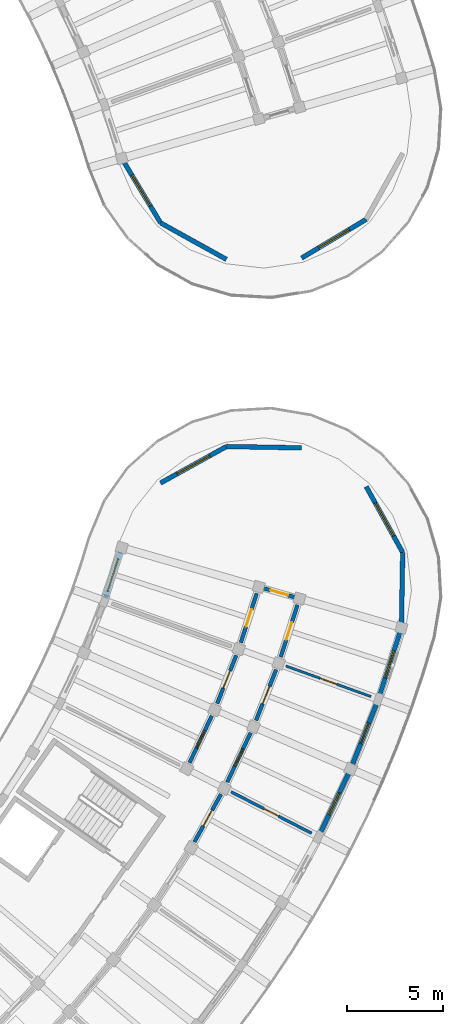
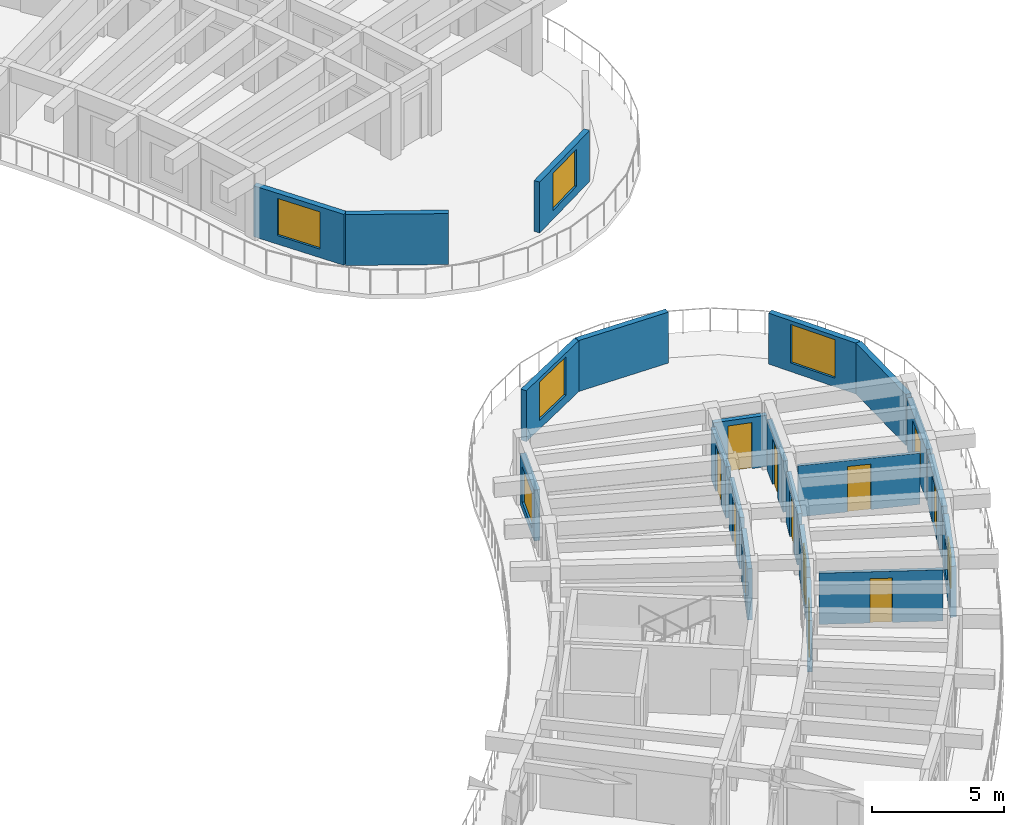
# One storey, part 42 of 69: 21 walls, 11 doors, 7 windows, 18 openings.
"""IFC4 building model written with IfcOpenShell, lengths in metres."""

from ifc_helpers import new_model, si_unit, direction, frame, frame_2d, origin, place, context, subcontext, project, spatial, rectangle, extrude, material, layer, layer_set, type_object, element, fill, save


model = new_model("IFC4")

# Units and contexts
model_context = context("Model", 3, precision=1e-05, world=origin(), true_north=direction((0.0, 1.0)))
body_context = subcontext(model_context, "Body", "Model", "MODEL_VIEW")
ifc_project = project(units=[si_unit("LENGTHUNIT", "METRE"), si_unit("AREAUNIT", "SQUARE_METRE"), si_unit("VOLUMEUNIT", "CUBIC_METRE"), si_unit("PLANEANGLEUNIT", "RADIAN"), si_unit("MASSUNIT", "GRAM", prefix="KILO")], contexts=[model_context])

# Site, building, storey
site_placement = place(None, origin())
site = spatial("IfcSite", under=ifc_project, at=site_placement, CompositionType="ELEMENT")
building_placement = place(site_placement, origin())
building = spatial("IfcBuilding", under=site, at=building_placement, Name="Tanwirah Colonnade Gardens", CompositionType="ELEMENT")
storey_placement = place(building_placement, frame((0.0, 0.0, 15.56005859375)))
storey = spatial("IfcBuildingStorey", under=building, at=storey_placement, Name="L04", CompositionType="ELEMENT", Elevation=15.56005859375)

# Wall, opening, window
ifc_material_1 = material(Name="Limestone architectural precast concrete C40/50", Category="masonry")
ifc_layer_1 = layer(ifc_material_1, 0.239990234375)
ifc_layer_set_1 = layer_set([ifc_layer_1], Name="Limestone architectural precast concrete C40/50")
wall_type_1 = type_object("IfcWallType", Name="EW-PC240", PredefinedType="SOLIDWALL", material=ifc_layer_set_1)
wall_1_placement = place(storey_placement, frame((176.41650390625, 69.28857421875, 0.0), z_axis=(0.0, 0.0, 1.0), x_axis=(-0.85715098885, -0.515065221417, 0.0)))
wall_1 = element("IfcWall", 1, at=wall_1_placement, inside=storey, type_object=wall_type_1, Name="Block B L04 START Rounded End Wall 2", PredefinedType="SOLIDWALL", context=body_context, shape_type="SweptSolid", body=[
    extrude(rectangle(XDim=3.908203125, YDim=0.239990234375, at=frame_2d((1.9541015625, 0.0))), origin(), (0.0, 0.0, 1.0), 2.35498046875),
])
opening_1_placement = place(wall_1_placement, frame((1.029052734375, 0.0, 0.39990234375)))
opening_1 = element("IfcOpeningElement", 2, at=opening_1_placement, cuts=wall_1, Name="Opening WIN-END1", PredefinedType="OPENING", context=body_context, shape_type="SweptSolid", body=[
    extrude(rectangle(XDim=1.85009765625, YDim=1.719970703125, at=frame_2d((0.925048828125, 0.85986328125))), frame((0.0, 0.1298828125, 0.0), z_axis=(0.0, -1.0, 0.0), x_axis=(1.0, 0.0, 0.0)), (0.0, 0.0, 1.0), 0.260009765625),
])
ifc_material_2 = material(Name="Thermally broken bronze aluminium and solar low-E double glazing", Category="aluminium")
window_type_1 = type_object("IfcWindowType", Name="WIN-END1", PartitioningType="TRIPLE_PANEL_VERTICAL", PredefinedType="WINDOW", material=ifc_material_2)
window_1_placement = place(opening_1_placement, origin())
window_1 = element("IfcWindow", 3, at=window_1_placement, inside=storey, type_object=window_type_1, Name="Rounded corner window B-L04-START-2", OverallHeight=1.719970703125, OverallWidth=1.85009765625, PartitioningType="SINGLE_PANEL", PredefinedType="WINDOW", context=body_context, shape_type="SweptSolid", body=[
    extrude(rectangle(XDim=1.85009765625, YDim=1.719970703125, at=frame_2d((0.925048828125, 0.85986328125))), frame((0.0, 0.030029296875, 0.0), z_axis=(0.0, -1.0, 0.0), x_axis=(1.0, 0.0, 0.0)), (0.0, 0.0, 1.0), 0.06005859375),
])
fill(opening_1, window_1)

# Wall
wall_2_placement = place(storey_placement, frame((169.1591796875, 67.20751953125, 0.0), z_axis=(0.0, 0.0, 1.0), x_axis=(-0.874643043537, 0.484767517881, 0.0)))
element("IfcWall", 4, at=wall_2_placement, inside=storey, type_object=wall_type_1, Name="Block B L04 START Rounded End Wall 4", PredefinedType="SOLIDWALL", context=body_context, shape_type="SweptSolid", body=[
    extrude(rectangle(XDim=3.908203125, YDim=0.239990234375, at=frame_2d((1.9541015625, 0.0))), origin(), (0.0, 0.0, 1.0), 2.35498046875),
])

# Wall, opening, window
wall_3_placement = place(storey_placement, frame((165.740966796875, 69.10205078125, 0.0), z_axis=(0.0, 0.0, 1.0), x_axis=(-0.515037642827, 0.857167560324, 0.0)))
wall_3 = element("IfcWall", 5, at=wall_3_placement, inside=storey, type_object=wall_type_1, Name="Block B L04 START Rounded End Wall 5", PredefinedType="SOLIDWALL", context=body_context, shape_type="SweptSolid", body=[
    extrude(rectangle(XDim=3.908447265625, YDim=0.239990234375, at=frame_2d((1.9541015625, 0.0))), origin(), (0.0, 0.0, 1.0), 2.35498046875),
])
opening_2_placement = place(wall_3_placement, frame((1.029052734375, 0.0, 0.39990234375)))
opening_2 = element("IfcOpeningElement", 6, at=opening_2_placement, cuts=wall_3, Name="Opening WIN-END1", PredefinedType="OPENING", context=body_context, shape_type="SweptSolid", body=[
    extrude(rectangle(XDim=1.85009765625, YDim=1.719970703125, at=frame_2d((0.925048828125, 0.85986328125))), frame((0.0, 0.1298828125, 0.0), z_axis=(0.0, -1.0, 0.0), x_axis=(1.0, 0.0, 0.0)), (0.0, 0.0, 1.0), 0.260009765625),
])
window_2_placement = place(opening_2_placement, origin())
window_2 = element("IfcWindow", 7, at=window_2_placement, inside=storey, type_object=window_type_1, Name="Rounded corner window B-L04-START-5", OverallHeight=1.719970703125, OverallWidth=1.85009765625, PartitioningType="SINGLE_PANEL", PredefinedType="WINDOW", context=body_context, shape_type="SweptSolid", body=[
    extrude(rectangle(XDim=1.85009765625, YDim=1.719970703125, at=frame_2d((0.925048828125, 0.85986328125))), frame((0.0, 0.030029296875, 0.0), z_axis=(0.0, -1.0, 0.0), x_axis=(1.0, 0.0, 0.0)), (0.0, 0.0, 1.0), 0.06005859375),
])
fill(opening_2, window_2)

wall_4_placement = place(storey_placement, frame((174.009521484375, 37.378173828125, 0.0), z_axis=(0.0, 0.0, 1.0), x_axis=(0.428576879122, 0.903505317462, 0.0)))
wall_4 = element("IfcWall", 8, at=wall_4_placement, inside=storey, type_object=wall_type_1, Name="Block D L04 OUT Precast Facade Wall 13", PredefinedType="SOLIDWALL", context=body_context, shape_type="SweptSolid", body=[
    extrude(rectangle(XDim=3.48681640625, YDim=0.239990234375, at=frame_2d((1.743408203125, 0.0))), origin(), (0.0, 0.0, 1.0), 2.35498046875),
])
opening_3_placement = place(wall_4_placement, frame((1.123291015625, 0.0, 0.550048828125)))
opening_3 = element("IfcOpeningElement", 9, at=opening_3_placement, cuts=wall_4, Name="Opening WIN-U03", PredefinedType="OPENING", context=body_context, shape_type="SweptSolid", body=[
    extrude(rectangle(XDim=1.239990234375, YDim=1.534912109375, at=frame_2d((0.6201171875, 0.767578125))), frame((0.0, 0.1298828125, 0.0), z_axis=(0.0, -1.0, 0.0), x_axis=(1.0, 0.0, 0.0)), (0.0, 0.0, 1.0), 0.260009765625),
])
window_type_2 = type_object("IfcWindowType", Name="WIN-U03", PartitioningType="DOUBLE_PANEL_VERTICAL", PredefinedType="WINDOW", material=ifc_material_2)
window_3_placement = place(opening_3_placement, origin())
window_3 = element("IfcWindow", 10, at=window_3_placement, inside=storey, type_object=window_type_2, Name="Facade window D-L04-OUT-13", OverallHeight=1.534912109375, OverallWidth=1.239990234375, PartitioningType="SINGLE_PANEL", PredefinedType="WINDOW", context=body_context, shape_type="SweptSolid", body=[
    extrude(rectangle(XDim=1.239990234375, YDim=1.534912109375, at=frame_2d((0.6201171875, 0.767578125))), frame((0.0, 0.030029296875, 0.0), z_axis=(0.0, -1.0, 0.0), x_axis=(1.0, 0.0, 0.0)), (0.0, 0.0, 1.0), 0.06005859375),
])
fill(opening_3, window_3)

# Wall, opening, door
wall_5_placement = place(storey_placement, frame((175.703125, 40.98681640625, 0.0), z_axis=(0.0, 0.0, 1.0), x_axis=(0.368503667074, 0.929626294461, 0.0)))
wall_5 = element("IfcWall", 11, at=wall_5_placement, inside=storey, type_object=wall_type_1, Name="Block D L04 OUT Precast Facade Wall 14", PredefinedType="SOLIDWALL", context=body_context, shape_type="SweptSolid", body=[
    extrude(rectangle(XDim=3.48681640625, YDim=0.239990234375, at=frame_2d((1.743408203125, 0.0))), origin(), (0.0, 0.0, 1.0), 2.35498046875),
])
opening_4_placement = place(wall_5_placement, frame((1.17333984375, 0.0, 0.0)))
opening_4 = element("IfcOpeningElement", 12, at=opening_4_placement, cuts=wall_5, Name="Opening L04-ED196", PredefinedType="OPENING", context=body_context, shape_type="SweptSolid", body=[
    extrude(rectangle(XDim=1.139892578125, YDim=2.159912109375, at=frame_2d((0.56982421875, 1.080078125))), frame((0.0, 0.1298828125, 0.0), z_axis=(0.0, -1.0, 0.0), x_axis=(1.0, 0.0, 0.0)), (0.0, 0.0, 1.0), 0.260009765625),
])
ifc_material_3 = material(Name="Bronze aluminium glazed balcony door", Category="aluminium")
door_type_1 = type_object("IfcDoorType", Name="ED-BAL114", OperationType="NOTDEFINED", PredefinedType="DOOR", material=ifc_material_3)
door_1_placement = place(opening_4_placement, origin())
door_1 = element("IfcDoor", 13, at=door_1_placement, inside=storey, type_object=door_type_1, Name="Balcony glazed door L04-ED196", OperationType="SINGLE_SWING_LEFT", OverallHeight=2.159912109375, OverallWidth=1.139892578125, PredefinedType="DOOR", context=body_context, shape_type="SweptSolid", body=[
    extrude(rectangle(XDim=1.139892578125, YDim=2.159912109375, at=frame_2d((0.56982421875, 1.080078125))), frame((0.0, 0.02490234375, 0.0), z_axis=(0.0, -1.0, 0.0), x_axis=(1.0, 0.0, 0.0)), (0.0, 0.0, 1.0), 0.050048828125),
])
fill(opening_4, door_1)

# Wall, opening, window
wall_6_placement = place(storey_placement, frame((177.09619140625, 44.529296875, 0.0), z_axis=(0.0, 0.0, 1.0), x_axis=(0.306949591136, 0.951725773793, 0.0)))
wall_6 = element("IfcWall", 14, at=wall_6_placement, inside=storey, type_object=wall_type_1, Name="Block D L04 OUT Precast Facade Wall 15", PredefinedType="SOLIDWALL", context=body_context, shape_type="SweptSolid", body=[
    extrude(rectangle(XDim=3.48681640625, YDim=0.239990234375, at=frame_2d((1.743408203125, 0.0))), origin(), (0.0, 0.0, 1.0), 2.35498046875),
])
opening_5_placement = place(wall_6_placement, frame((1.00341796875, 0.0, 0.550048828125)))
opening_5 = element("IfcOpeningElement", 15, at=opening_5_placement, cuts=wall_6, Name="Opening WIN-U09", PredefinedType="OPENING", context=body_context, shape_type="SweptSolid", body=[
    extrude(rectangle(XDim=1.47998046875, YDim=1.4599609375, at=frame_2d((0.739990234375, 0.72998046875))), frame((0.0, 0.1298828125, 0.0), z_axis=(0.0, -1.0, 0.0), x_axis=(1.0, 0.0, 0.0)), (0.0, 0.0, 1.0), 0.260009765625),
])
window_type_3 = type_object("IfcWindowType", Name="WIN-U09", PartitioningType="DOUBLE_PANEL_VERTICAL", PredefinedType="WINDOW", material=ifc_material_2)
window_4_placement = place(opening_5_placement, origin())
window_4 = element("IfcWindow", 16, at=window_4_placement, inside=storey, type_object=window_type_3, Name="Facade window D-L04-OUT-15", OverallHeight=1.4599609375, OverallWidth=1.47998046875, PartitioningType="SINGLE_PANEL", PredefinedType="WINDOW", context=body_context, shape_type="SweptSolid", body=[
    extrude(rectangle(XDim=1.47998046875, YDim=1.4599609375, at=frame_2d((0.739990234375, 0.72998046875))), frame((0.0, 0.030029296875, 0.0), z_axis=(0.0, -1.0, 0.0), x_axis=(1.0, 0.0, 0.0)), (0.0, 0.0, 1.0), 0.06005859375),
])
fill(opening_5, window_4)

wall_7_placement = place(storey_placement, frame((162.88427734375, 49.6318359375, 0.0), z_axis=(0.0, 0.0, 1.0), x_axis=(0.306979942778, 0.951715984279, 0.0)))
wall_7 = element("IfcWall", 17, at=wall_7_placement, inside=storey, type_object=wall_type_1, Name="Block D L04 IN Precast Facade Wall 15", PredefinedType="SOLIDWALL", context=body_context, shape_type="SweptSolid", body=[
    extrude(rectangle(XDim=2.498779296875, YDim=0.239990234375, at=frame_2d((1.24951171875, 0.0))), origin(), (0.0, 0.0, 1.0), 2.35498046875),
])
opening_6_placement = place(wall_7_placement, frame((0.369384765625, 0.0, 0.35009765625)))
opening_6 = element("IfcOpeningElement", 18, at=opening_6_placement, cuts=wall_7, Name="Opening WIN-U16", PredefinedType="OPENING", context=body_context, shape_type="SweptSolid", body=[
    extrude(rectangle(XDim=1.760009765625, YDim=1.635009765625, at=frame_2d((0.8798828125, 0.8173828125))), frame((0.0, 0.1298828125, 0.0), z_axis=(0.0, -1.0, 0.0), x_axis=(1.0, 0.0, 0.0)), (0.0, 0.0, 1.0), 0.260009765625),
])
window_type_4 = type_object("IfcWindowType", Name="WIN-U16", PartitioningType="DOUBLE_PANEL_VERTICAL", PredefinedType="WINDOW", material=ifc_material_2)
window_5_placement = place(opening_6_placement, origin())
window_5 = element("IfcWindow", 19, at=window_5_placement, inside=storey, type_object=window_type_4, Name="Facade window D-L04-IN-15", OverallHeight=1.635009765625, OverallWidth=1.760009765625, PartitioningType="SINGLE_PANEL", PredefinedType="WINDOW", context=body_context, shape_type="SweptSolid", body=[
    extrude(rectangle(XDim=1.760009765625, YDim=1.635009765625, at=frame_2d((0.8798828125, 0.8173828125))), frame((0.0, 0.030029296875, 0.0), z_axis=(0.0, -1.0, 0.0), x_axis=(1.0, 0.0, 0.0)), (0.0, 0.0, 1.0), 0.06005859375),
])
fill(opening_6, window_5)

wall_8_placement = place(storey_placement, frame((165.740966796875, 55.597900390625, 0.0), z_axis=(0.0, 0.0, 1.0), x_axis=(0.874616555828, 0.48481530532, 0.0)))
wall_8 = element("IfcWall", 20, at=wall_8_placement, inside=storey, type_object=wall_type_1, Name="Block D L04 END Rounded End Wall 1", PredefinedType="SOLIDWALL", context=body_context, shape_type="SweptSolid", body=[
    extrude(rectangle(XDim=3.908203125, YDim=0.239990234375, at=frame_2d((1.9541015625, 0.0))), origin(), (0.0, 0.0, 1.0), 2.35498046875),
])
opening_7_placement = place(wall_8_placement, frame((0.97900390625, 0.0, 0.39990234375)))
opening_7 = element("IfcOpeningElement", 21, at=opening_7_placement, cuts=wall_8, Name="Opening WIN-END2", PredefinedType="OPENING", context=body_context, shape_type="SweptSolid", body=[
    extrude(rectangle(XDim=1.949951171875, YDim=1.780029296875, at=frame_2d((0.97509765625, 0.89013671875))), frame((0.0, 0.1298828125, 0.0), z_axis=(0.0, -1.0, 0.0), x_axis=(1.0, 0.0, 0.0)), (0.0, 0.0, 1.0), 0.260009765625),
])
window_type_5 = type_object("IfcWindowType", Name="WIN-END2", PartitioningType="TRIPLE_PANEL_VERTICAL", PredefinedType="WINDOW", material=ifc_material_2)
window_6_placement = place(opening_7_placement, origin())
window_6 = element("IfcWindow", 22, at=window_6_placement, inside=storey, type_object=window_type_5, Name="Rounded corner window D-L04-END-1", OverallHeight=1.780029296875, OverallWidth=1.949951171875, PartitioningType="SINGLE_PANEL", PredefinedType="WINDOW", context=body_context, shape_type="SweptSolid", body=[
    extrude(rectangle(XDim=1.949951171875, YDim=1.780029296875, at=frame_2d((0.97509765625, 0.89013671875))), frame((0.0, 0.030029296875, 0.0), z_axis=(0.0, -1.0, 0.0), x_axis=(1.0, 0.0, 0.0)), (0.0, 0.0, 1.0), 0.06005859375),
])
fill(opening_7, window_6)

# Wall
wall_9_placement = place(storey_placement, frame((169.1591796875, 57.49267578125, 0.0), z_axis=(0.0, 0.0, 1.0), x_axis=(0.999847005776, -0.017491856396, 0.0)))
element("IfcWall", 23, at=wall_9_placement, inside=storey, type_object=wall_type_1, Name="Block D L04 END Rounded End Wall 2", PredefinedType="SOLIDWALL", context=body_context, shape_type="SweptSolid", body=[
    extrude(rectangle(XDim=3.907958984375, YDim=0.239990234375, at=frame_2d((1.9541015625, 0.0))), origin(), (0.0, 0.0, 1.0), 2.35498046875),
])

# Wall, opening, window
wall_10_placement = place(storey_placement, frame((176.41650390625, 55.41162109375, 0.0), z_axis=(0.0, 0.0, 1.0), x_axis=(0.48481530532, -0.874616555828, 0.0)))
wall_10 = element("IfcWall", 24, at=wall_10_placement, inside=storey, type_object=wall_type_1, Name="Block D L04 END Rounded End Wall 4", PredefinedType="SOLIDWALL", context=body_context, shape_type="SweptSolid", body=[
    extrude(rectangle(XDim=3.908203125, YDim=0.239990234375, at=frame_2d((1.9541015625, 0.0))), origin(), (0.0, 0.0, 1.0), 2.35498046875),
])
opening_8_placement = place(wall_10_placement, frame((0.97900390625, 0.0, 0.39990234375)))
opening_8 = element("IfcOpeningElement", 25, at=opening_8_placement, cuts=wall_10, Name="Opening WIN-END2", PredefinedType="OPENING", context=body_context, shape_type="SweptSolid", body=[
    extrude(rectangle(XDim=1.949951171875, YDim=1.780029296875, at=frame_2d((0.97509765625, 0.89013671875))), frame((0.0, 0.1298828125, 0.0), z_axis=(0.0, -1.0, 0.0), x_axis=(1.0, 0.0, 0.0)), (0.0, 0.0, 1.0), 0.260009765625),
])
window_7_placement = place(opening_8_placement, origin())
window_7 = element("IfcWindow", 26, at=window_7_placement, inside=storey, type_object=window_type_5, Name="Rounded corner window D-L04-END-4", OverallHeight=1.780029296875, OverallWidth=1.949951171875, PartitioningType="SINGLE_PANEL", PredefinedType="WINDOW", context=body_context, shape_type="SweptSolid", body=[
    extrude(rectangle(XDim=1.949951171875, YDim=1.780029296875, at=frame_2d((0.97509765625, 0.89013671875))), frame((0.0, 0.030029296875, 0.0), z_axis=(0.0, -1.0, 0.0), x_axis=(1.0, 0.0, 0.0)), (0.0, 0.0, 1.0), 0.06005859375),
])
fill(opening_8, window_7)

# Wall
wall_11_placement = place(storey_placement, frame((178.311279296875, 51.993408203125, 0.0), z_axis=(0.0, 0.0, 1.0), x_axis=(-0.017428315893, -0.999848115368, 0.0)))
element("IfcWall", 27, at=wall_11_placement, inside=storey, type_object=wall_type_1, Name="Block D L04 END Rounded End Wall 5", PredefinedType="SOLIDWALL", context=body_context, shape_type="SweptSolid", body=[
    extrude(rectangle(XDim=3.908203125, YDim=0.239990234375, at=frame_2d((1.9541015625, 0.0))), origin(), (0.0, 0.0, 1.0), 2.35498046875),
])

# Wall, opening, door
ifc_material_4 = material(Name="Precast concrete C40/50", Category="concrete")
ifc_layer_2 = layer(ifc_material_4, 0.195068359375)
ifc_layer_set_2 = layer_set([ifc_layer_2], Name="Precast concrete C40/50")
wall_type_2 = type_object("IfcWallType", Name="IW-CORR195", PredefinedType="PARTITIONING", material=ifc_layer_set_2)
wall_12_placement = place(storey_placement, frame((167.500244140625, 36.968017578125, 0.0), z_axis=(0.0, 0.0, 1.0), x_axis=(0.48673124079, 0.8735517725, 0.0)))
wall_12 = element("IfcWall", 28, at=wall_12_placement, inside=storey, type_object=wall_type_2, Name="Block D L04 OUT Corridor Wall 12", PredefinedType="PARTITIONING", context=body_context, shape_type="SweptSolid", body=[
    extrude(rectangle(XDim=2.8369140625, YDim=0.195068359375, at=frame_2d((1.41845703125, 0.0))), origin(), (0.0, 0.0, 1.0), 2.369873046875),
])
opening_9_placement = place(wall_12_placement, frame((0.95361328125, 0.0, 0.0)))
opening_9 = element("IfcOpeningElement", 29, at=opening_9_placement, cuts=wall_12, Name="Opening L04-AD1826", PredefinedType="OPENING", context=body_context, shape_type="SweptSolid", body=[
    extrude(rectangle(XDim=0.929931640625, YDim=2.1201171875, at=frame_2d((0.46484375, 1.06005859375))), frame((0.0, 0.107421875, 0.0), z_axis=(0.0, -1.0, 0.0), x_axis=(1.0, 0.0, 0.0)), (0.0, 0.0, 1.0), 0.215087890625),
])
ifc_material_5 = material(Name="Solid oak fire-resisting apartment entrance door")
door_type_2 = type_object("IfcDoorType", Name="ID-FLT093", OperationType="NOTDEFINED", PredefinedType="DOOR", material=ifc_material_5)
door_2_placement = place(opening_9_placement, origin())
door_2 = element("IfcDoor", 30, at=door_2_placement, inside=storey, type_object=door_type_2, Name="Apartment corridor door L04-AD1826", OperationType="SINGLE_SWING_LEFT", OverallHeight=2.1201171875, OverallWidth=0.929931640625, PredefinedType="DOOR", context=body_context, shape_type="SweptSolid", body=[
    extrude(rectangle(XDim=0.929931640625, YDim=2.1201171875, at=frame_2d((0.46484375, 1.06005859375))), frame((0.0, 0.02490234375, 0.0), z_axis=(0.0, -1.0, 0.0), x_axis=(1.0, 0.0, 0.0)), (0.0, 0.0, 1.0), 0.050048828125),
])
fill(opening_9, door_2)

wall_13_placement = place(storey_placement, frame((169.201416015625, 40.068115234375, 0.0), z_axis=(0.0, 0.0, 1.0), x_axis=(0.428493237107, 0.903544988229, 0.0)))
wall_13 = element("IfcWall", 31, at=wall_13_placement, inside=storey, type_object=wall_type_2, Name="Block D L04 OUT Corridor Wall 13", PredefinedType="PARTITIONING", context=body_context, shape_type="SweptSolid", body=[
    extrude(rectangle(XDim=2.8369140625, YDim=0.195068359375, at=frame_2d((1.41845703125, 0.0))), origin(), (0.0, 0.0, 1.0), 2.369873046875),
])
opening_10_placement = place(wall_13_placement, frame((0.923583984375, 0.0, 0.0)))
opening_10 = element("IfcOpeningElement", 32, at=opening_10_placement, cuts=wall_13, Name="Opening L04-AD1829", PredefinedType="OPENING", context=body_context, shape_type="SweptSolid", body=[
    extrude(rectangle(XDim=0.989990234375, YDim=2.159912109375, at=frame_2d((0.4951171875, 1.080078125))), frame((0.0, 0.107421875, 0.0), z_axis=(0.0, -1.0, 0.0), x_axis=(1.0, 0.0, 0.0)), (0.0, 0.0, 1.0), 0.215087890625),
])
door_type_3 = type_object("IfcDoorType", Name="ID-FLT099", OperationType="NOTDEFINED", PredefinedType="DOOR", material=ifc_material_5)
door_3_placement = place(opening_10_placement, origin())
door_3 = element("IfcDoor", 33, at=door_3_placement, inside=storey, type_object=door_type_3, Name="Apartment corridor door L04-AD1829", OperationType="SINGLE_SWING_RIGHT", OverallHeight=2.159912109375, OverallWidth=0.989990234375, PredefinedType="DOOR", context=body_context, shape_type="SweptSolid", body=[
    extrude(rectangle(XDim=0.989990234375, YDim=2.159912109375, at=frame_2d((0.4951171875, 1.080078125))), frame((0.0, 0.02490234375, 0.0), z_axis=(0.0, -1.0, 0.0), x_axis=(1.0, 0.0, 0.0)), (0.0, 0.0, 1.0), 0.050048828125),
])
fill(opening_10, door_3)

wall_14_placement = place(storey_placement, frame((167.24560546875, 41.075439453125, 0.0), z_axis=(0.0, 0.0, 1.0), x_axis=(0.428550049392, 0.903518043631, 0.0)))
wall_14 = element("IfcWall", 34, at=wall_14_placement, inside=storey, type_object=wall_type_2, Name="Block D L04 IN Corridor Wall 13", PredefinedType="PARTITIONING", context=body_context, shape_type="SweptSolid", body=[
    extrude(rectangle(XDim=2.69287109375, YDim=0.195068359375, at=frame_2d((1.346435546875, 0.0))), origin(), (0.0, 0.0, 1.0), 2.369873046875),
])
opening_11_placement = place(wall_14_placement, frame((0.8515625, 0.0, 0.0)))
opening_11 = element("IfcOpeningElement", 35, at=opening_11_placement, cuts=wall_14, Name="Opening L04-AD1830", PredefinedType="OPENING", context=body_context, shape_type="SweptSolid", body=[
    extrude(rectangle(XDim=0.989990234375, YDim=2.159912109375, at=frame_2d((0.4951171875, 1.080078125))), frame((0.0, 0.107421875, 0.0), z_axis=(0.0, -1.0, 0.0), x_axis=(1.0, 0.0, 0.0)), (0.0, 0.0, 1.0), 0.215087890625),
])
door_4_placement = place(opening_11_placement, origin())
door_4 = element("IfcDoor", 36, at=door_4_placement, inside=storey, type_object=door_type_3, Name="Apartment corridor door L04-AD1830", OperationType="SINGLE_SWING_LEFT", OverallHeight=2.159912109375, OverallWidth=0.989990234375, PredefinedType="DOOR", context=body_context, shape_type="SweptSolid", body=[
    extrude(rectangle(XDim=0.989990234375, YDim=2.159912109375, at=frame_2d((0.4951171875, 1.080078125))), frame((0.0, 0.02490234375, 0.0), z_axis=(0.0, -1.0, 0.0), x_axis=(1.0, 0.0, 0.0)), (0.0, 0.0, 1.0), 0.050048828125),
])
fill(opening_11, door_4)

wall_15_placement = place(storey_placement, frame((170.696044921875, 43.27294921875, 0.0), z_axis=(0.0, 0.0, 1.0), x_axis=(0.368584691693, 0.929594172233, 0.0)))
wall_15 = element("IfcWall", 37, at=wall_15_placement, inside=storey, type_object=wall_type_2, Name="Block D L04 OUT Corridor Wall 14", PredefinedType="PARTITIONING", context=body_context, shape_type="SweptSolid", body=[
    extrude(rectangle(XDim=2.8369140625, YDim=0.195068359375, at=frame_2d((1.41845703125, 0.0))), origin(), (0.0, 0.0, 1.0), 2.369873046875),
])
opening_12_placement = place(wall_15_placement, frame((0.93359375, 0.0, 0.0)))
opening_12 = element("IfcOpeningElement", 38, at=opening_12_placement, cuts=wall_15, Name="Opening L04-AD1831", PredefinedType="OPENING", context=body_context, shape_type="SweptSolid", body=[
    extrude(rectangle(XDim=0.969970703125, YDim=2.14990234375, at=frame_2d((0.48486328125, 1.074951171875))), frame((0.0, 0.107421875, 0.0), z_axis=(0.0, -1.0, 0.0), x_axis=(1.0, 0.0, 0.0)), (0.0, 0.0, 1.0), 0.215087890625),
])
door_type_4 = type_object("IfcDoorType", Name="ID-FLT097", OperationType="NOTDEFINED", PredefinedType="DOOR", material=ifc_material_5)
door_5_placement = place(opening_12_placement, origin())
door_5 = element("IfcDoor", 39, at=door_5_placement, inside=storey, type_object=door_type_4, Name="Apartment corridor door L04-AD1831", OperationType="SINGLE_SWING_LEFT", OverallHeight=2.14990234375, OverallWidth=0.969970703125, PredefinedType="DOOR", context=body_context, shape_type="SweptSolid", body=[
    extrude(rectangle(XDim=0.969970703125, YDim=2.14990234375, at=frame_2d((0.48486328125, 1.074951171875))), frame((0.0, 0.02490234375, 0.0), z_axis=(0.0, -1.0, 0.0), x_axis=(1.0, 0.0, 0.0)), (0.0, 0.0, 1.0), 0.050048828125),
])
fill(opening_12, door_5)

wall_16_placement = place(storey_placement, frame((168.678466796875, 44.150146484375, 0.0), z_axis=(0.0, 0.0, 1.0), x_axis=(0.368528468945, 0.929616462622, 0.0)))
wall_16 = element("IfcWall", 40, at=wall_16_placement, inside=storey, type_object=wall_type_2, Name="Block D L04 IN Corridor Wall 14", PredefinedType="PARTITIONING", context=body_context, shape_type="SweptSolid", body=[
    extrude(rectangle(XDim=2.69287109375, YDim=0.195068359375, at=frame_2d((1.346435546875, 0.0))), origin(), (0.0, 0.0, 1.0), 2.369873046875),
])
opening_13_placement = place(wall_16_placement, frame((0.861572265625, 0.0, 0.0)))
opening_13 = element("IfcOpeningElement", 41, at=opening_13_placement, cuts=wall_16, Name="Opening L04-AD1832", PredefinedType="OPENING", context=body_context, shape_type="SweptSolid", body=[
    extrude(rectangle(XDim=0.969970703125, YDim=2.14990234375, at=frame_2d((0.48486328125, 1.074951171875))), frame((0.0, 0.107421875, 0.0), z_axis=(0.0, -1.0, 0.0), x_axis=(1.0, 0.0, 0.0)), (0.0, 0.0, 1.0), 0.215087890625),
])
door_6_placement = place(opening_13_placement, origin())
door_6 = element("IfcDoor", 42, at=door_6_placement, inside=storey, type_object=door_type_4, Name="Apartment corridor door L04-AD1832", OperationType="SINGLE_SWING_RIGHT", OverallHeight=2.14990234375, OverallWidth=0.969970703125, PredefinedType="DOOR", context=body_context, shape_type="SweptSolid", body=[
    extrude(rectangle(XDim=0.969970703125, YDim=2.14990234375, at=frame_2d((0.48486328125, 1.074951171875))), frame((0.0, 0.02490234375, 0.0), z_axis=(0.0, -1.0, 0.0), x_axis=(1.0, 0.0, 0.0)), (0.0, 0.0, 1.0), 0.050048828125),
])
fill(opening_13, door_6)

wall_17_placement = place(storey_placement, frame((171.97802734375, 46.568603515625, 0.0), z_axis=(0.0, 0.0, 1.0), x_axis=(0.30694495224, 0.951727269912, 0.0)))
wall_17 = element("IfcWall", 43, at=wall_17_placement, inside=storey, type_object=wall_type_2, Name="Block D L04 OUT Corridor Wall 15", PredefinedType="PARTITIONING", context=body_context, shape_type="SweptSolid", body=[
    extrude(rectangle(XDim=2.837158203125, YDim=0.195068359375, at=frame_2d((1.41845703125, 0.0))), origin(), (0.0, 0.0, 1.0), 2.369873046875),
])
opening_14_placement = place(wall_17_placement, frame((0.943603515625, 0.0, 0.0)))
opening_14 = element("IfcOpeningElement", 44, at=opening_14_placement, cuts=wall_17, Name="Opening L04-AD1834", PredefinedType="OPENING", context=body_context, shape_type="SweptSolid", body=[
    extrude(rectangle(XDim=0.949951171875, YDim=2.1298828125, at=frame_2d((0.47509765625, 1.06494140625))), frame((0.0, 0.107421875, 0.0), z_axis=(0.0, -1.0, 0.0), x_axis=(1.0, 0.0, 0.0)), (0.0, 0.0, 1.0), 0.215087890625),
])
door_type_5 = type_object("IfcDoorType", Name="ID-FLT095", OperationType="NOTDEFINED", PredefinedType="DOOR", material=ifc_material_5)
door_7_placement = place(opening_14_placement, origin())
door_7 = element("IfcDoor", 45, at=door_7_placement, inside=storey, type_object=door_type_5, Name="Apartment corridor door L04-AD1834", OperationType="SINGLE_SWING_RIGHT", OverallHeight=2.1298828125, OverallWidth=0.949951171875, PredefinedType="DOOR", context=body_context, shape_type="SweptSolid", body=[
    extrude(rectangle(XDim=0.949951171875, YDim=2.1298828125, at=frame_2d((0.47509765625, 1.06494140625))), frame((0.0, 0.02490234375, 0.0), z_axis=(0.0, -1.0, 0.0), x_axis=(1.0, 0.0, 0.0)), (0.0, 0.0, 1.0), 0.050048828125),
])
fill(opening_14, door_7)

wall_18_placement = place(storey_placement, frame((169.907470703125, 47.31201171875, 0.0), z_axis=(0.0, 0.0, 1.0), x_axis=(0.306883578189, 0.951747061691, 0.0)))
wall_18 = element("IfcWall", 46, at=wall_18_placement, inside=storey, type_object=wall_type_2, Name="Block D L04 IN Corridor Wall 15", PredefinedType="PARTITIONING", context=body_context, shape_type="SweptSolid", body=[
    extrude(rectangle(XDim=2.69287109375, YDim=0.195068359375, at=frame_2d((1.346435546875, 0.0))), origin(), (0.0, 0.0, 1.0), 2.369873046875),
])
opening_15_placement = place(wall_18_placement, frame((0.87158203125, 0.0, 0.0)))
opening_15 = element("IfcOpeningElement", 47, at=opening_15_placement, cuts=wall_18, Name="Opening L04-AD1835", PredefinedType="OPENING", context=body_context, shape_type="SweptSolid", body=[
    extrude(rectangle(XDim=0.949951171875, YDim=2.1298828125, at=frame_2d((0.47509765625, 1.06494140625))), frame((0.0, 0.107421875, 0.0), z_axis=(0.0, -1.0, 0.0), x_axis=(1.0, 0.0, 0.0)), (0.0, 0.0, 1.0), 0.215087890625),
])
door_8_placement = place(opening_15_placement, origin())
door_8 = element("IfcDoor", 48, at=door_8_placement, inside=storey, type_object=door_type_5, Name="Apartment corridor door L04-AD1835", OperationType="SINGLE_SWING_LEFT", OverallHeight=2.1298828125, OverallWidth=0.949951171875, PredefinedType="DOOR", context=body_context, shape_type="SweptSolid", body=[
    extrude(rectangle(XDim=0.949951171875, YDim=2.1298828125, at=frame_2d((0.47509765625, 1.06494140625))), frame((0.0, 0.02490234375, 0.0), z_axis=(0.0, -1.0, 0.0), x_axis=(1.0, 0.0, 0.0)), (0.0, 0.0, 1.0), 0.050048828125),
])
fill(opening_15, door_8)

wall_19_placement = place(storey_placement, frame((170.889404296875, 50.1943359375, 0.0), z_axis=(0.0, 0.0, 1.0), x_axis=(0.961264701934, -0.275626872449, 0.0)))
wall_19 = element("IfcWall", 49, at=wall_19_placement, inside=storey, type_object=wall_type_2, Name="Block D L04 CE Corner Suite Corridor Wall", PredefinedType="PARTITIONING", context=body_context, shape_type="SweptSolid", body=[
    extrude(rectangle(XDim=2.10009765625, YDim=0.195068359375, at=frame_2d((1.050048828125, 0.0))), origin(), (0.0, 0.0, 1.0), 2.369873046875),
])
opening_16_placement = place(wall_19_placement, frame((0.570068359375, 0.0, 0.0)))
opening_16 = element("IfcOpeningElement", 50, at=opening_16_placement, cuts=wall_19, Name="Opening L04-CD1837", PredefinedType="OPENING", context=body_context, shape_type="SweptSolid", body=[
    extrude(rectangle(XDim=0.949951171875, YDim=2.1298828125, at=frame_2d((0.47509765625, 1.06494140625))), frame((0.0, 0.107421875, 0.0), z_axis=(0.0, -1.0, 0.0), x_axis=(1.0, 0.0, 0.0)), (0.0, 0.0, 1.0), 0.215087890625),
])
door_9_placement = place(opening_16_placement, origin())
door_9 = element("IfcDoor", 51, at=door_9_placement, inside=storey, type_object=door_type_5, Name="Corner suite entrance door L04-CD1837", OperationType="SINGLE_SWING_RIGHT", OverallHeight=2.1298828125, OverallWidth=0.949951171875, PredefinedType="DOOR", context=body_context, shape_type="SweptSolid", body=[
    extrude(rectangle(XDim=0.949951171875, YDim=2.1298828125, at=frame_2d((0.47509765625, 1.06494140625))), frame((0.0, 0.02490234375, 0.0), z_axis=(0.0, -1.0, 0.0), x_axis=(1.0, 0.0, 0.0)), (0.0, 0.0, 1.0), 0.050048828125),
])
fill(opening_16, door_9)

ifc_material_6 = material(Name="Moisture-resistant gypsum stud partition")
ifc_layer_3 = layer(ifc_material_6, 0.125)
ifc_layer_set_3 = layer_set([ifc_layer_3], Name="Moisture-resistant gypsum stud partition")
wall_type_3 = type_object("IfcWallType", Name="IW-INT125", PredefinedType="PARTITIONING", material=ifc_layer_set_3)
wall_20_placement = place(storey_placement, frame((172.2470703125, 46.100341796875, 0.0), z_axis=(0.0, 0.0, 1.0), x_axis=(0.941182387398, -0.337898969591, 0.0)))
wall_20 = element("IfcWall", 52, at=wall_20_placement, inside=storey, type_object=wall_type_3, Name="Block D L04 Radial Partition 14", PredefinedType="PARTITIONING", context=body_context, shape_type="SweptSolid", body=[
    extrude(rectangle(XDim=4.699951171875, YDim=0.125, at=frame_2d((2.35009765625, 0.0))), origin(), (0.0, 0.0, 1.0), 2.369873046875),
])
opening_17_placement = place(wall_20_placement, frame((1.89501953125, 0.0, 0.0)))
opening_17 = element("IfcOpeningElement", 53, at=opening_17_placement, cuts=wall_20, Name="Opening L04-RD1833", PredefinedType="OPENING", context=body_context, shape_type="SweptSolid", body=[
    extrude(rectangle(XDim=0.909912109375, YDim=2.10009765625, at=frame_2d((0.455078125, 1.050048828125))), frame((0.0, 0.072509765625, 0.0), z_axis=(0.0, -1.0, 0.0), x_axis=(1.0, 0.0, 0.0)), (0.0, 0.0, 1.0), 0.14501953125),
])
ifc_material_7 = material(Name="Painted hardwood internal room door", Category="wood")
door_type_6 = type_object("IfcDoorType", Name="ID-RM091", OperationType="NOTDEFINED", PredefinedType="DOOR", material=ifc_material_7)
door_10_placement = place(opening_17_placement, origin())
door_10 = element("IfcDoor", 54, at=door_10_placement, inside=storey, type_object=door_type_6, Name="Internal apartment door L04-RD1833", OperationType="SINGLE_SWING_LEFT", OverallHeight=2.10009765625, OverallWidth=0.909912109375, PredefinedType="DOOR", context=body_context, shape_type="SweptSolid", body=[
    extrude(rectangle(XDim=0.909912109375, YDim=2.10009765625, at=frame_2d((0.455078125, 1.050048828125))), frame((0.0, 0.02490234375, 0.0), z_axis=(0.0, -1.0, 0.0), x_axis=(1.0, 0.0, 0.0)), (0.0, 0.0, 1.0), 0.050048828125),
])
fill(opening_17, door_10)

ifc_material_8 = material(Name="Water-resistant acoustic plumbing partition")
ifc_layer_4 = layer(ifc_material_8, 0.14990234375)
ifc_layer_set_4 = layer_set([ifc_layer_4], Name="Water-resistant acoustic plumbing partition")
wall_type_4 = type_object("IfcWallType", Name="IW-WET150", PredefinedType="PLUMBINGWALL", material=ifc_layer_set_4)
wall_21_placement = place(storey_placement, frame((169.406982421875, 39.56884765625, 0.0), z_axis=(0.0, 0.0, 1.0), x_axis=(0.889013002038, -0.457881952262, 0.0)))
wall_21 = element("IfcWall", 55, at=wall_21_placement, inside=storey, type_object=wall_type_4, Name="Block D L04 Radial Partition 12", PredefinedType="PLUMBINGWALL", context=body_context, shape_type="SweptSolid", body=[
    extrude(rectangle(XDim=4.7001953125, YDim=0.14990234375, at=frame_2d((2.35009765625, 0.0))), origin(), (0.0, 0.0, 1.0), 2.369873046875),
])
opening_18_placement = place(wall_21_placement, frame((1.925048828125, 0.0, 0.0)))
opening_18 = element("IfcOpeningElement", 56, at=opening_18_placement, cuts=wall_21, Name="Opening L04-RD1827", PredefinedType="OPENING", context=body_context, shape_type="SweptSolid", body=[
    extrude(rectangle(XDim=0.85009765625, YDim=2.050048828125, at=frame_2d((0.425048828125, 1.02490234375))), frame((0.0, 0.0849609375, 0.0), z_axis=(0.0, -1.0, 0.0), x_axis=(1.0, 0.0, 0.0)), (0.0, 0.0, 1.0), 0.169921875),
])
ifc_material_9 = material(Name="Moisture-resistant en-suite door")
door_type_7 = type_object("IfcDoorType", Name="ID-WET085", OperationType="NOTDEFINED", PredefinedType="DOOR", material=ifc_material_9)
door_11_placement = place(opening_18_placement, origin())
door_11 = element("IfcDoor", 57, at=door_11_placement, inside=storey, type_object=door_type_7, Name="Internal apartment door L04-RD1827", OperationType="SINGLE_SWING_LEFT", OverallHeight=2.050048828125, OverallWidth=0.85009765625, PredefinedType="DOOR", context=body_context, shape_type="SweptSolid", body=[
    extrude(rectangle(XDim=0.85009765625, YDim=2.050048828125, at=frame_2d((0.425048828125, 1.02490234375))), frame((0.0, 0.02490234375, 0.0), z_axis=(0.0, -1.0, 0.0), x_axis=(1.0, 0.0, 0.0)), (0.0, 0.0, 1.0), 0.050048828125),
])
fill(opening_18, door_11)

save(model, "model.ifc")
